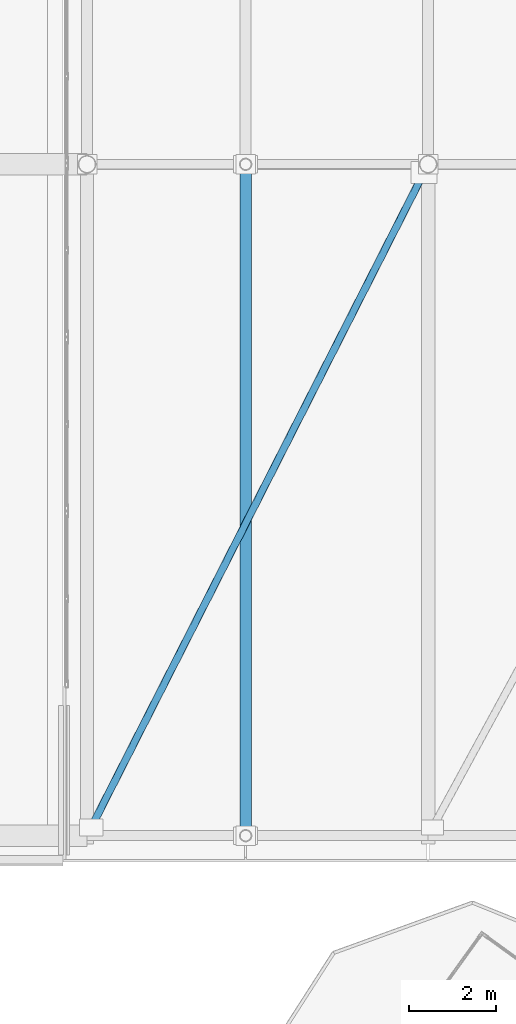
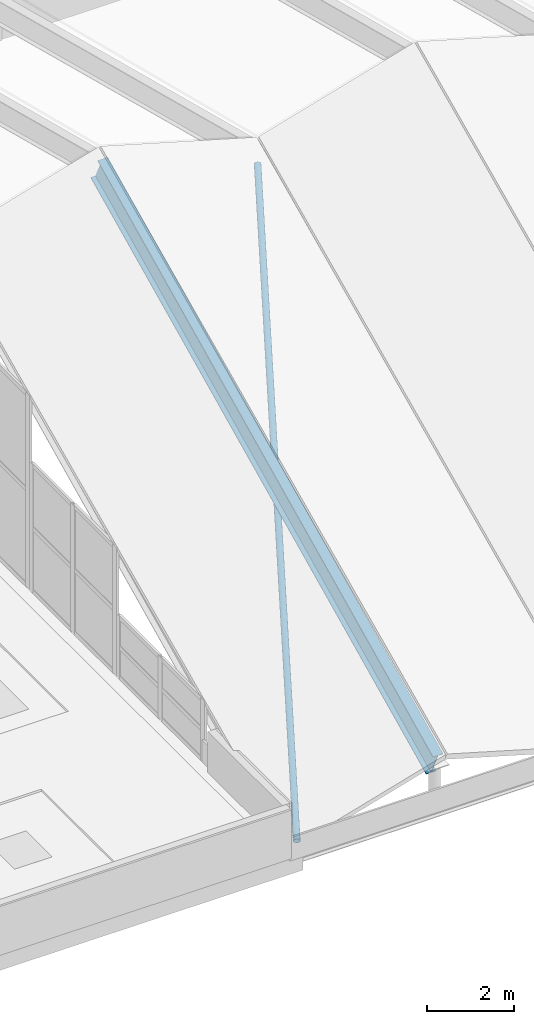
# One storey, part 34 of 184: 1 beam, 1 member.
"""IFC4 building model written with IfcOpenShell, lengths in metres."""

from ifc_helpers import new_model, si_unit, direction, frame, origin, origin_2d, place, context, subcontext, project, spatial, hollow_circle, i_section, extrude, material, material_profile, profile_set, type_object, element, save


model = new_model("IFC4")

# Units and contexts
model_context = context("Model", 3, precision=1e-05, world=origin(), true_north=direction((0.0, 1.0)))
body_context = subcontext(model_context, "Body", "Model", "MODEL_VIEW")
ifc_project = project(units=[si_unit("LENGTHUNIT", "METRE"), si_unit("AREAUNIT", "SQUARE_METRE"), si_unit("VOLUMEUNIT", "CUBIC_METRE"), si_unit("PLANEANGLEUNIT", "RADIAN"), si_unit("MASSUNIT", "GRAM", prefix="KILO")], contexts=[model_context])

# Site, building, storey
site_placement = place(None, origin())
site = spatial("IfcSite", under=ifc_project, at=site_placement, CompositionType="ELEMENT")
building_placement = place(site_placement, origin())
building = spatial("IfcBuilding", under=site, at=building_placement, Name="Selatvlak General Hospital", CompositionType="ELEMENT")
storey_placement = place(building_placement, frame((0.0, 0.0, 15.0)))
storey = spatial("IfcBuildingStorey", under=building, at=storey_placement, Name="L03", CompositionType="ELEMENT", Elevation=15.0)

# Beam
ifc_material = material(Name="Steel S355", Category="steel")
ifc_material_profile_1 = material_profile(ifc_material, i_section(OverallWidth=0.2666015625, OverallDepth=0.76220703125, WebThickness=0.014404296875, FlangeThickness=0.021484375, at=origin_2d()), Name="UB 762x267x173")
ifc_profile_set_1 = profile_set([ifc_material_profile_1], Name="Steel S355")
beam_type = type_object("IfcBeamType", Name="BM-RF2", PredefinedType="BEAM", material=ifc_profile_set_1)
beam_placement = place(storey_placement, frame((27.0, 52.550048828125, 0.593994140625), z_axis=(0.0, 0.901888793553, 0.431968290577), x_axis=(-1.0, 0.0, 0.0)))
element("IfcBeam", 1, at=beam_placement, inside=storey, type_object=beam_type, Name="Folded roof south rafter 2", PredefinedType="BEAM", context=body_context, shape_type="SweptSolid", body=[
    extrude(i_section(OverallWidth=0.2666015625, OverallDepth=0.76220703125, WebThickness=0.014404296875, FlangeThickness=0.021484375, at=origin_2d()), origin(), (0.0, 0.0, 1.0), 17.130615234375),
])

# Member
ifc_material_profile_2 = material_profile(ifc_material, hollow_circle(Radius=0.084228515625, WallThickness=0.00634765625, at=origin_2d()), Name="CHS 168.3x6.3")
ifc_profile_set_2 = profile_set([ifc_material_profile_2], Name="Steel S355")
member_type = type_object("IfcMemberType", Name="MEM-BR2", PredefinedType="BRACE", material=ifc_profile_set_2)
member_placement = place(storey_placement, frame((23.446044921875, 52.739013671875, -0.43798828125), z_axis=(0.416593557106, 0.819919126724, 0.392660710806), x_axis=(-0.891523237126, 0.452974963618, 0.0)))
element("IfcMember", 2, at=member_placement, inside=storey, type_object=member_type, Name="Folded roof wind diagonal 1", PredefinedType="BRACE", context=body_context, shape_type="SweptSolid", body=[
    extrude(hollow_circle(Radius=0.084228515625, WallThickness=0.00634765625, at=origin_2d()), origin(), (0.0, 0.0, 1.0), 18.38232421875),
])

save(model, "model.ifc")
